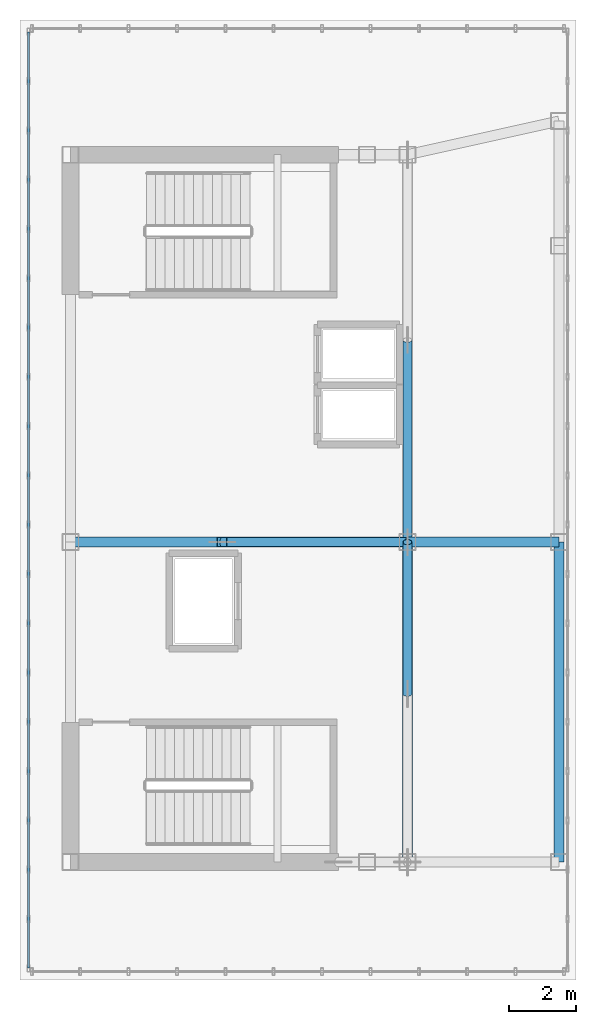
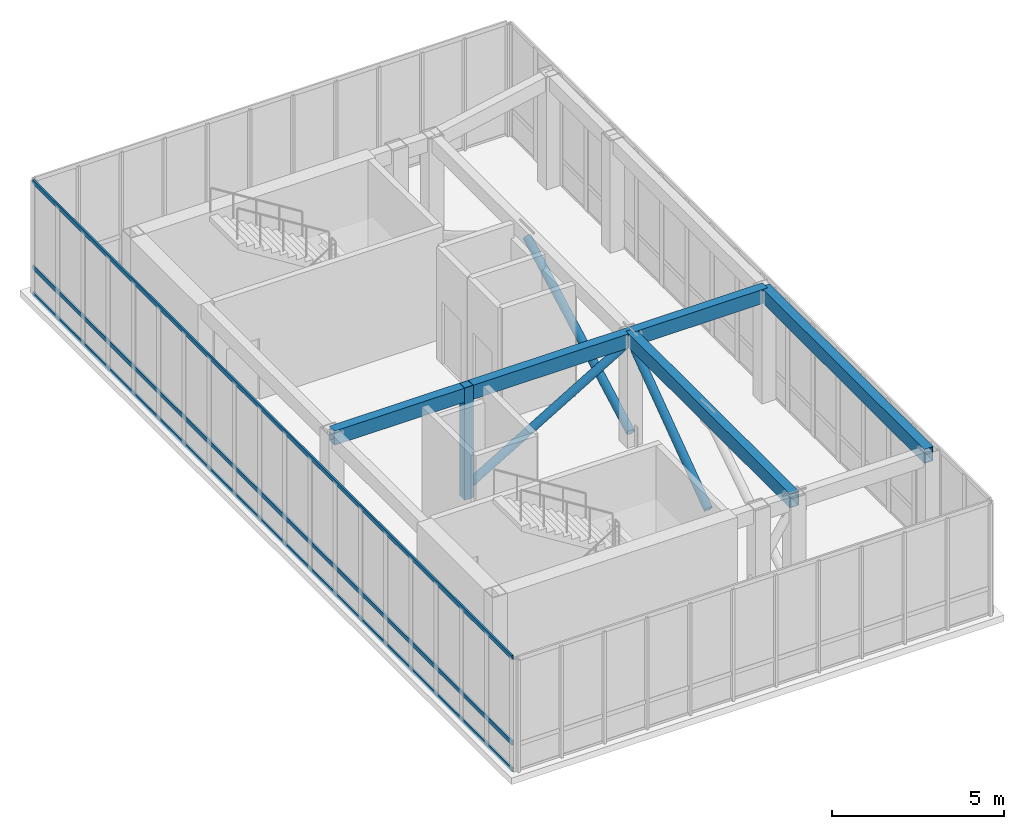
# One storey, part 4 of 13: 7 members, 4 beams, 1 element without a shape of its own.
"""IFC4 building model written with IfcOpenShell, lengths in metres."""

from ifc_helpers import new_model, si_unit, direction, frame, origin, origin_2d, place, context, subcontext, project, spatial, hollow_rectangle, hollow_circle, extrude, source, transform, mapped, material, layer, layer_set, material_profile, profile_set, type_object, element, aggregate, save


model = new_model("IFC4")

# Units and contexts
model_context = context("Model", 3, precision=1e-05, world=origin(), true_north=direction((0.0, 1.0)))
body_context = subcontext(model_context, "Body", "Model", "MODEL_VIEW")
ifc_project = project(units=[si_unit("LENGTHUNIT", "METRE"), si_unit("AREAUNIT", "SQUARE_METRE"), si_unit("VOLUMEUNIT", "CUBIC_METRE"), si_unit("PLANEANGLEUNIT", "RADIAN"), si_unit("MASSUNIT", "GRAM", prefix="KILO")], contexts=[model_context])

# Site, building, storey
site_placement = place(None, origin())
site = spatial("IfcSite", under=ifc_project, at=site_placement, CompositionType="ELEMENT")
building_placement = place(site_placement, origin())
building = spatial("IfcBuilding", under=site, at=building_placement, Name="Kharzan Plaza Tower", CompositionType="ELEMENT")
storey_placement = place(building_placement, frame((0.0, 0.0, 289.800048828125)))
storey = spatial("IfcBuildingStorey", under=building, at=storey_placement, Name="L78-CROWN", CompositionType="ELEMENT", Elevation=289.800048828125)

# Beams
ifc_material_1 = material(Name="Steel S355", Category="steel")
ifc_material_profile_1 = material_profile(ifc_material_1, hollow_rectangle(XDim=0.300048828125, YDim=0.5, WallThickness=0.02001953125, at=origin_2d()), Name="RHS500x300x20")
ifc_profile_set_1 = profile_set([ifc_material_profile_1], Name="Steel S355")
beam_type = type_object("IfcBeamType", Name="BM-CRN500", PredefinedType="BEAM", material=ifc_profile_set_1)
shared_shape_1 = source(origin(), body_context, "Body", "SweptSolid", [
    extrude(hollow_rectangle(XDim=0.300048828125, YDim=0.5, WallThickness=0.02001953125, at=origin_2d()), origin(), (0.0, 0.0, 1.0), 9.5),
])
for number, where, z_axis, x_axis, name in (
    (1, (19.0, 8.5, 3.719970703125), (0.0, 1.0, 0.0), (-1.0, 0.0, 0.0), "L78-CROWN CROWN FRAME Lantern Ring Beam CRB-E1"),
    (2, (14.5, 8.5, 3.719970703125), (0.0, 1.0, 0.0), (-1.0, 0.0, 0.0), "L78-CROWN CROWN FRAME Lantern Ring Beam CRB-M1"),
):
    element("IfcBeam", number, at=place(storey_placement, frame(where, z_axis=z_axis, x_axis=x_axis)), inside=storey, type_object=beam_type, Name=name, PredefinedType="BEAM", context=body_context, shape_type="MappedRepresentation", body=[
        mapped(shared_shape_1, transform((0.0, 0.0, 0.0), x_axis=(1.0, 0.0, 0.0), y_axis=(0.0, 1.0, 0.0), z_axis=(0.0, 0.0, 1.0))),
    ])
shared_shape_2 = source(origin(), body_context, "Body", "SweptSolid", [
    extrude(hollow_rectangle(XDim=0.300048828125, YDim=0.5, WallThickness=0.02001953125, at=origin_2d()), origin(), (0.0, 0.0, 1.0), 10.0),
])
beam_1_placement = place(storey_placement, frame((4.5, 18.0, 3.719970703125), z_axis=(1.0, 0.0, 0.0), x_axis=(0.0, 1.0, 0.0)))
element("IfcBeam", 3, at=beam_1_placement, inside=storey, type_object=beam_type, Name="L78-CROWN CROWN FRAME Lantern Ring Beam CRB-I1", PredefinedType="BEAM", context=body_context, shape_type="MappedRepresentation", body=[
    mapped(shared_shape_2, transform((0.0, 0.0, 0.0), x_axis=(1.0, 0.0, 0.0), y_axis=(0.0, 1.0, 0.0), z_axis=(0.0, 0.0, 1.0))),
])
shared_shape_3 = source(origin(), body_context, "Body", "SweptSolid", [
    extrude(hollow_rectangle(XDim=0.300048828125, YDim=0.5, WallThickness=0.02001953125, at=origin_2d()), origin(), (0.0, 0.0, 1.0), 4.5),
])
beam_2_placement = place(storey_placement, frame((14.5, 18.0, 3.719970703125), z_axis=(1.0, 0.0, 0.0), x_axis=(0.0, 1.0, 0.0)))
element("IfcBeam", 4, at=beam_2_placement, inside=storey, type_object=beam_type, Name="L78-CROWN CROWN FRAME Lantern Ring Beam CRB-I2", PredefinedType="BEAM", context=body_context, shape_type="MappedRepresentation", body=[
    mapped(shared_shape_3, transform((0.0, 0.0, 0.0), x_axis=(1.0, 0.0, 0.0), y_axis=(0.0, 1.0, 0.0), z_axis=(0.0, 0.0, 1.0))),
])

# Members
ifc_material_profile_2 = material_profile(ifc_material_1, hollow_circle(Radius=0.136474609375, WallThickness=0.010009765625, at=origin_2d()), Name="CHS273x10")
ifc_profile_set_2 = profile_set([ifc_material_profile_2], Name="Steel S355")
member_type_1 = type_object("IfcMemberType", Name="MEM-CRN-DIAG", PredefinedType="BRACE", material=ifc_profile_set_2)
shared_shape_4 = source(origin(), body_context, "Body", "SweptSolid", [
    extrude(hollow_circle(Radius=0.136474609375, WallThickness=0.010009765625, at=origin_2d()), origin(), (0.0, 0.0, 1.0), 6.833251953125),
])
member_1_placement = place(storey_placement, frame((14.5, 18.0, 0.349853515625), z_axis=(0.0, 0.878062100793, 0.478546703207), x_axis=(-1.0, 0.0, 0.0)))
element("IfcMember", 5, at=member_1_placement, inside=storey, type_object=member_type_1, Name="L78-CROWN CROWN FRAME Diagonal Wind Brace CRD-E1", PredefinedType="BRACE", context=body_context, shape_type="MappedRepresentation", body=[
    mapped(shared_shape_4, transform((0.0, 0.0, 0.0), x_axis=(1.0, 0.0, 0.0), y_axis=(0.0, 1.0, 0.0), z_axis=(0.0, 0.0, 1.0))),
])
shared_shape_5 = source(origin(), body_context, "Body", "SweptSolid", [
    extrude(hollow_circle(Radius=0.136474609375, WallThickness=0.010009765625, at=origin_2d()), origin(), (0.0, 0.0, 1.0), 6.398681640625),
])
member_2_placement = place(storey_placement, frame((9.0, 18.0, 0.349853515625), z_axis=(0.859553101499, 0.0, 0.511046441827), x_axis=(0.0, 1.0, 0.0)))
element("IfcMember", 6, at=member_2_placement, inside=storey, type_object=member_type_1, Name="L78-CROWN CROWN FRAME Diagonal Wind Brace CRD-W1", PredefinedType="BRACE", context=body_context, shape_type="MappedRepresentation", body=[
    mapped(shared_shape_5, transform((0.0, 0.0, 0.0), x_axis=(1.0, 0.0, 0.0), y_axis=(0.0, 1.0, 0.0), z_axis=(0.0, 0.0, 1.0))),
])
shared_shape_6 = source(origin(), body_context, "Body", "SweptSolid", [
    extrude(hollow_circle(Radius=0.136474609375, WallThickness=0.010009765625, at=origin_2d()), origin(), (0.0, 0.0, 1.0), 5.562744140625),
])
member_3_placement = place(storey_placement, frame((14.5, 13.5, 0.349853515625), z_axis=(0.0, 0.808967567345, 0.587853276748), x_axis=(-1.0, 0.0, 0.0)))
element("IfcMember", 7, at=member_3_placement, inside=storey, type_object=member_type_1, Name="L78-CROWN CROWN FRAME Diagonal Wind Brace CRD-S2", PredefinedType="BRACE", context=body_context, shape_type="MappedRepresentation", body=[
    mapped(shared_shape_6, transform((0.0, 0.0, 0.0), x_axis=(1.0, 0.0, 0.0), y_axis=(0.0, 1.0, 0.0), z_axis=(0.0, 0.0, 1.0))),
])
ifc_material_profile_3 = material_profile(ifc_material_1, hollow_rectangle(XDim=0.300048828125, YDim=0.300048828125, WallThickness=0.01611328125, at=origin_2d()), Name="SHS300x300x16")
ifc_profile_set_3 = profile_set([ifc_material_profile_3], Name="Steel S355")
member_type_2 = type_object("IfcMemberType", Name="MEM-CRN-POST", PredefinedType="POST", material=ifc_profile_set_3)
shared_shape_7 = source(origin(), body_context, "Body", "SweptSolid", [
    extrude(hollow_rectangle(XDim=0.300048828125, YDim=0.300048828125, WallThickness=0.01611328125, at=origin_2d()), origin(), (0.0, 0.0, 1.0), 3.969970703125),
])
member_4_placement = place(storey_placement, frame((9.0, 18.0, 0.0), z_axis=(0.0, 0.0, 1.0), x_axis=(1.0, 0.0, 0.0)))
element("IfcMember", 8, at=member_4_placement, inside=storey, type_object=member_type_2, Name="L78-CROWN CROWN FRAME Lantern Post 1", PredefinedType="POST", context=body_context, shape_type="MappedRepresentation", body=[
    mapped(shared_shape_7, transform((0.0, 0.0, 0.0), x_axis=(1.0, 0.0, 0.0), y_axis=(0.0, 1.0, 0.0), z_axis=(0.0, 0.0, 1.0))),
])

# Curtain wall, members
ifc_material_2 = material(Name="Unitised Bronze-Anodized Aluminium and Low-E Glass", Category="aluminium")
ifc_layer = layer(ifc_material_2, 0.199951171875)
ifc_layer_set = layer_set([ifc_layer], Name="Unitised Bronze-Anodized Aluminium and Low-E Glass")
curtain_wall_type = type_object("IfcCurtainWallType", Name="CW-LANTERN-6", PredefinedType="NOTDEFINED", material=ifc_layer_set)
curtain_wall_placement = place(storey_placement, origin())
curtain_wall = element("IfcCurtainWall", 9, at=curtain_wall_placement, inside=storey, type_object=curtain_wall_type, Name="L78-CROWN Lantern Crown Illuminated Curtain Wall 4", PredefinedType="NOTDEFINED")
ifc_material_3 = material(Name="Anodized Bronze Aluminium", Category="aluminium")
ifc_material_profile_4 = material_profile(ifc_material_3, hollow_rectangle(XDim=0.06005859375, YDim=0.14990234375, WallThickness=0.00341796875, at=origin_2d()), Name="ALU-T150x60x3.5")
ifc_profile_set_4 = profile_set([ifc_material_profile_4], Name="Anodized Bronze Aluminium")
member_type_3 = type_object("IfcMemberType", Name="MEM-CW-TRN150", PredefinedType="USERDEFINED", material=ifc_profile_set_4)
shared_shape_8 = source(origin(), body_context, "Body", "SweptSolid", [
    extrude(hollow_rectangle(XDim=0.06005859375, YDim=0.14990234375, WallThickness=0.00341796875, at=origin_2d()), origin(), (0.0, 0.0, 1.0), 27.7998046875),
])
member_5_placement = place(storey_placement, frame((3.25, 33.14990234375, 0.0), z_axis=(0.0, -1.0, 0.0), x_axis=(1.0, 0.0, 0.0)))
member_5 = element("IfcMember", 10, at=member_5_placement, type_object=member_type_3, Name="L78-CROWN Curtain-Wall Transom 1", ObjectType="TRANSOM", PredefinedType="USERDEFINED", context=body_context, shape_type="MappedRepresentation", body=[
    mapped(shared_shape_8, transform((0.0, 0.0, 0.0), x_axis=(1.0, 0.0, 0.0), y_axis=(0.0, 1.0, 0.0), z_axis=(0.0, 0.0, 1.0))),
])
member_6_placement = place(storey_placement, frame((3.25, 33.14990234375, 0.949951171875), z_axis=(0.0, -1.0, 0.0), x_axis=(1.0, 0.0, 0.0)))
member_6 = element("IfcMember", 11, at=member_6_placement, type_object=member_type_3, Name="L78-CROWN Curtain-Wall Transom 2", ObjectType="TRANSOM", PredefinedType="USERDEFINED", context=body_context, shape_type="MappedRepresentation", body=[
    mapped(shared_shape_8, transform((0.0, 0.0, 0.0), x_axis=(1.0, 0.0, 0.0), y_axis=(0.0, 1.0, 0.0), z_axis=(0.0, 0.0, 1.0))),
])
member_7_placement = place(storey_placement, frame((3.25, 33.14990234375, 3.969970703125), z_axis=(0.0, -1.0, 0.0), x_axis=(1.0, 0.0, 0.0)))
member_7 = element("IfcMember", 12, at=member_7_placement, type_object=member_type_3, Name="L78-CROWN Curtain-Wall Transom 3", ObjectType="TRANSOM", PredefinedType="USERDEFINED", context=body_context, shape_type="MappedRepresentation", body=[
    mapped(shared_shape_8, transform((0.0, 0.0, 0.0), x_axis=(1.0, 0.0, 0.0), y_axis=(0.0, 1.0, 0.0), z_axis=(0.0, 0.0, 1.0))),
])
aggregate(curtain_wall, [member_5, member_6, member_7])

save(model, "model.ifc")
